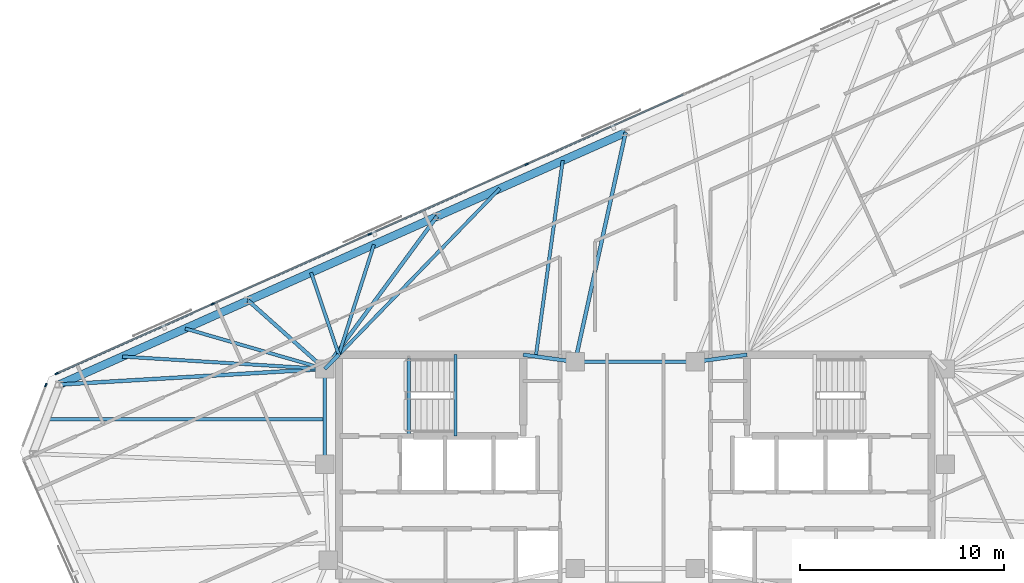
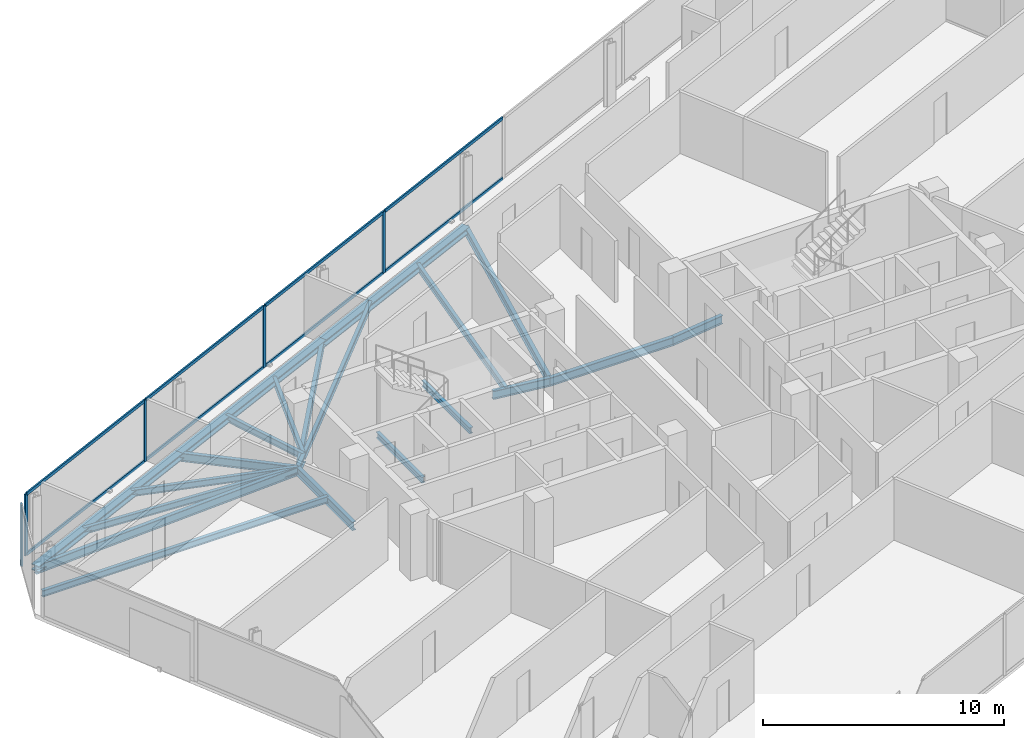
# One storey, part 9 of 18: 21 beams, 13 members, 2 elements without a shape of their own.
"""IFC4 building model written with IfcOpenShell, lengths in metres."""

from ifc_helpers import new_model, si_unit, direction, frame, origin, origin_2d, place, context, subcontext, project, spatial, rectangle, i_section, extrude, material, material_profile, profile_set, type_object, element, aggregate, save


model = new_model("IFC4")

# Units and contexts
model_context = context("Model", 3, precision=1e-05, world=origin(), true_north=direction((0.0, 1.0)))
body_context = subcontext(model_context, "Body", "Model", "MODEL_VIEW")
ifc_project = project(units=[si_unit("LENGTHUNIT", "METRE"), si_unit("AREAUNIT", "SQUARE_METRE"), si_unit("VOLUMEUNIT", "CUBIC_METRE"), si_unit("PLANEANGLEUNIT", "RADIAN"), si_unit("MASSUNIT", "GRAM", prefix="KILO")], contexts=[model_context])

# Site, building, storey
site_placement = place(None, origin())
site = spatial("IfcSite", under=ifc_project, at=site_placement, CompositionType="ELEMENT")
building_placement = place(site_placement, origin())
building = spatial("IfcBuilding", under=site, at=building_placement, Name="Menara Jurai Vektor", CompositionType="ELEMENT")
storey_placement = place(building_placement, frame((0.0, 0.0, 258.85009765625)))
storey = spatial("IfcBuildingStorey", under=building, at=storey_placement, Name="L69", CompositionType="ELEMENT", Elevation=258.85009765625)

# Curtain wall, members
ifc_material_1 = material(Name="Anodised Pale Aluminium & Low-E Double Glazing", Category="aluminium")
curtain_wall_type = type_object("IfcCurtainWallType", Name="CW-BLK5", PredefinedType="NOTDEFINED", material=ifc_material_1)
curtain_wall_1_placement = place(storey_placement, origin())
curtain_wall_1 = element("IfcCurtainWall", 1, at=curtain_wall_1_placement, inside=storey, type_object=curtain_wall_type, Name="Unitised Curtain Wall L69 F05", PredefinedType="NOTDEFINED")
ifc_material_2 = material(Name="Anodised Pale Aluminium Mullion", Category="aluminium")
ifc_material_profile_1 = material_profile(ifc_material_2, rectangle(XDim=0.074951171875, YDim=0.175048828125, at=origin_2d()), Name="ALU MUL 75x175")
ifc_profile_set_1 = profile_set([ifc_material_profile_1], Name="Anodised Pale Aluminium Mullion")
member_type_1 = type_object("IfcMemberType", Name="CW-BLK5-MUL", PredefinedType="MULLION", material=ifc_profile_set_1)
member_1_placement = place(storey_placement, frame((-5.327880859375, 14.957275390625, 0.0), z_axis=(0.0, 0.0, 1.0), x_axis=(0.406735498684, -0.913545967158, 0.0)))
member_1 = element("IfcMember", 2, at=member_1_placement, type_object=member_type_1, Name="CW-05 mullion 4", PredefinedType="MULLION", context=body_context, shape_type="SweptSolid", body=[
    extrude(rectangle(XDim=0.074951171875, YDim=0.175048828125, at=origin_2d()), origin(), (0.0, 0.0, 1.0), 3.125),
])
member_2_placement = place(storey_placement, frame((-13.038330078125, 11.5244140625, 0.0), z_axis=(0.0, 0.0, 1.0), x_axis=(0.406735498684, -0.913545967158, 0.0)))
member_2 = element("IfcMember", 3, at=member_2_placement, type_object=member_type_1, Name="CW-05 mullion 5", PredefinedType="MULLION", context=body_context, shape_type="SweptSolid", body=[
    extrude(rectangle(XDim=0.074951171875, YDim=0.175048828125, at=origin_2d()), origin(), (0.0, 0.0, 1.0), 3.125),
])
member_3_placement = place(storey_placement, frame((-20.748779296875, 8.091552734375, 0.0), z_axis=(0.0, 0.0, 1.0), x_axis=(0.406735498684, -0.913545967158, 0.0)))
member_3 = element("IfcMember", 4, at=member_3_placement, type_object=member_type_1, Name="CW-05 mullion 6", PredefinedType="MULLION", context=body_context, shape_type="SweptSolid", body=[
    extrude(rectangle(XDim=0.074951171875, YDim=0.175048828125, at=origin_2d()), origin(), (0.0, 0.0, 1.0), 3.125),
])
member_4_placement = place(storey_placement, frame((-28.4248046875, 4.674072265625, 0.0), z_axis=(0.0, 0.0, 1.0), x_axis=(0.406735498684, -0.913545967158, 0.0)))
member_4 = element("IfcMember", 5, at=member_4_placement, type_object=member_type_1, Name="CW-05 mullion 7", PredefinedType="MULLION", context=body_context, shape_type="SweptSolid", body=[
    extrude(rectangle(XDim=0.074951171875, YDim=0.175048828125, at=origin_2d()), origin(), (0.0, 0.0, 1.0), 3.125),
])

# Curtain wall, member
curtain_wall_2_placement = place(storey_placement, origin())
curtain_wall_2 = element("IfcCurtainWall", 6, at=curtain_wall_2_placement, inside=storey, type_object=curtain_wall_type, Name="Unitised Curtain Wall L69 F06", PredefinedType="NOTDEFINED")
member_5_placement = place(storey_placement, frame((-28.955810546875, 4.114501953125, 0.0), z_axis=(0.0, 0.0, 1.0), x_axis=(0.933578193639, -0.358373766287, 0.0)))
member_5 = element("IfcMember", 7, at=member_5_placement, type_object=member_type_1, Name="CW-05 mullion 1", PredefinedType="MULLION", context=body_context, shape_type="SweptSolid", body=[
    extrude(rectangle(XDim=0.074951171875, YDim=0.175048828125, at=origin_2d()), origin(), (0.0, 0.0, 1.0), 3.125),
])
aggregate(curtain_wall_2, [member_5])

# Member
ifc_material_3 = material(Name="Anodised Pale Aluminium Transom", Category="aluminium")
ifc_material_profile_2 = material_profile(ifc_material_3, rectangle(XDim=0.074951171875, YDim=0.155029296875, at=origin_2d()), Name="ALU TRN 75x155")
ifc_profile_set_2 = profile_set([ifc_material_profile_2], Name="Anodised Pale Aluminium Transom")
member_type_2 = type_object("IfcMemberType", Name="CW-BLK5-TRN", PredefinedType="USERDEFINED", material=ifc_profile_set_2)
member_6_placement = place(storey_placement, frame((2.34814453125, 18.375, 0.037353515625), z_axis=(-0.913546575494, -0.406734132331, 0.0), x_axis=(0.406734132331, -0.913546575494, 0.0)))
member_6 = element("IfcMember", 8, at=member_6_placement, type_object=member_type_2, Name="CW-05 transom 3.1", ObjectType="TRANSOM", PredefinedType="USERDEFINED", context=body_context, shape_type="SweptSolid", body=[
    extrude(rectangle(XDim=0.074951171875, YDim=0.155029296875, at=origin_2d()), origin(), (0.0, 0.0, 1.0), 8.364990234375),
])

member_7_placement = place(storey_placement, frame((2.34814453125, 18.375, 3.08740234375), z_axis=(-0.913546575494, -0.406734132331, 0.0), x_axis=(0.406734132331, -0.913546575494, 0.0)))
member_7 = element("IfcMember", 9, at=member_7_placement, type_object=member_type_2, Name="CW-05 transom 3.2", ObjectType="TRANSOM", PredefinedType="USERDEFINED", context=body_context, shape_type="SweptSolid", body=[
    extrude(rectangle(XDim=0.074951171875, YDim=0.155029296875, at=origin_2d()), origin(), (0.0, 0.0, 1.0), 8.364990234375),
])

member_8_placement = place(storey_placement, frame((-5.3623046875, 14.942138671875, 0.037353515625), z_axis=(-0.913546575494, -0.406734132331, 0.0), x_axis=(0.406734132331, -0.913546575494, 0.0)))
member_8 = element("IfcMember", 10, at=member_8_placement, type_object=member_type_2, Name="CW-05 transom 4.1", ObjectType="TRANSOM", PredefinedType="USERDEFINED", context=body_context, shape_type="SweptSolid", body=[
    extrude(rectangle(XDim=0.074951171875, YDim=0.155029296875, at=origin_2d()), origin(), (0.0, 0.0, 1.0), 8.364990234375),
])

member_9_placement = place(storey_placement, frame((-5.3623046875, 14.942138671875, 3.08740234375), z_axis=(-0.913546575494, -0.406734132331, 0.0), x_axis=(0.406734132331, -0.913546575494, 0.0)))
member_9 = element("IfcMember", 11, at=member_9_placement, type_object=member_type_2, Name="CW-05 transom 4.2", ObjectType="TRANSOM", PredefinedType="USERDEFINED", context=body_context, shape_type="SweptSolid", body=[
    extrude(rectangle(XDim=0.074951171875, YDim=0.155029296875, at=origin_2d()), origin(), (0.0, 0.0, 1.0), 8.364990234375),
])

member_10_placement = place(storey_placement, frame((-13.072509765625, 11.50927734375, 0.037353515625), z_axis=(-0.913546575494, -0.406734132331, 0.0), x_axis=(0.406734132331, -0.913546575494, 0.0)))
member_10 = element("IfcMember", 12, at=member_10_placement, type_object=member_type_2, Name="CW-05 transom 5.1", ObjectType="TRANSOM", PredefinedType="USERDEFINED", context=body_context, shape_type="SweptSolid", body=[
    extrude(rectangle(XDim=0.074951171875, YDim=0.155029296875, at=origin_2d()), origin(), (0.0, 0.0, 1.0), 8.364990234375),
])

member_11_placement = place(storey_placement, frame((-13.072509765625, 11.50927734375, 3.08740234375), z_axis=(-0.913546575494, -0.406734132331, 0.0), x_axis=(0.406734132331, -0.913546575494, 0.0)))
member_11 = element("IfcMember", 13, at=member_11_placement, type_object=member_type_2, Name="CW-05 transom 5.2", ObjectType="TRANSOM", PredefinedType="USERDEFINED", context=body_context, shape_type="SweptSolid", body=[
    extrude(rectangle(XDim=0.074951171875, YDim=0.155029296875, at=origin_2d()), origin(), (0.0, 0.0, 1.0), 8.364990234375),
])

member_12_placement = place(storey_placement, frame((-20.782958984375, 8.076416015625, 0.037353515625), z_axis=(-0.91353811338, -0.406753138159, 0.0), x_axis=(0.406753138159, -0.91353811338, 0.0)))
member_12 = element("IfcMember", 14, at=member_12_placement, type_object=member_type_2, Name="CW-05 transom 6.1", ObjectType="TRANSOM", PredefinedType="USERDEFINED", context=body_context, shape_type="SweptSolid", body=[
    extrude(rectangle(XDim=0.074951171875, YDim=0.155029296875, at=origin_2d()), origin(), (0.0, 0.0, 1.0), 8.327392578125),
])

member_13_placement = place(storey_placement, frame((-20.782958984375, 8.076416015625, 3.08740234375), z_axis=(-0.91353811338, -0.406753138159, 0.0), x_axis=(0.406753138159, -0.91353811338, 0.0)))
member_13 = element("IfcMember", 15, at=member_13_placement, type_object=member_type_2, Name="CW-05 transom 6.2", ObjectType="TRANSOM", PredefinedType="USERDEFINED", context=body_context, shape_type="SweptSolid", body=[
    extrude(rectangle(XDim=0.074951171875, YDim=0.155029296875, at=origin_2d()), origin(), (0.0, 0.0, 1.0), 8.327392578125),
])

aggregate(curtain_wall_1, [member_1, member_2, member_3, member_4, member_6, member_7, member_8, member_9, member_10, member_11, member_12, member_13])

# Beams
ifc_material_4 = material(Name="Steel S355", Category="steel")
ifc_material_profile_3 = material_profile(ifc_material_4, i_section(OverallWidth=0.18505859375, OverallDepth=0.429931640625, WebThickness=0.010986328125, FlangeThickness=0.01806640625, at=origin_2d()), Name="PG 430x185x76")
ifc_profile_set_3 = profile_set([ifc_material_profile_3], Name="Steel S355")
beam_type_1 = type_object("IfcBeamType", Name="STR-BM-430", PredefinedType="BEAM", material=ifc_profile_set_3)
beam_1_placement = place(storey_placement, frame((-15.25, 4.89990234375, -0.440185546875), z_axis=(0.701871936926, 0.712303154672, 0.0), x_axis=(-0.712303154672, 0.701871936926, 0.0)))
element("IfcBeam", 16, at=beam_1_placement, inside=storey, type_object=beam_type_1, Name="Core Ring Header Girder L69-CHW-N1", PredefinedType="BEAM", context=body_context, shape_type="SweptSolid", body=[
    extrude(i_section(OverallWidth=0.18505859375, OverallDepth=0.429931640625, WebThickness=0.010986328125, FlangeThickness=0.01806640625, at=origin_2d()), origin(), (0.0, 0.0, 1.0), 0.98291015625),
])
beam_2_placement = place(storey_placement, frame((-5.5, 5.60009765625, -0.440185546875), z_axis=(0.990706818608, -0.136014703483, 0.0), x_axis=(0.136014703483, 0.990706818608, 0.0)))
element("IfcBeam", 17, at=beam_2_placement, inside=storey, type_object=beam_type_1, Name="Core Ring Header Girder L69-CHW-N2", PredefinedType="BEAM", context=body_context, shape_type="SweptSolid", body=[
    extrude(i_section(OverallWidth=0.18505859375, OverallDepth=0.429931640625, WebThickness=0.010986328125, FlangeThickness=0.01806640625, at=origin_2d()), origin(), (0.0, 0.0, 1.0), 2.573974609375),
])
beam_3_placement = place(storey_placement, frame((-15.25, 0.219970703125, -0.440185546875), z_axis=(0.0, 1.0, 0.0), x_axis=(-1.0, 0.0, 0.0)))
element("IfcBeam", 18, at=beam_3_placement, inside=storey, type_object=beam_type_1, Name="Core Ring Header Girder L69-CHW-W1", PredefinedType="BEAM", context=body_context, shape_type="SweptSolid", body=[
    extrude(i_section(OverallWidth=0.18505859375, OverallDepth=0.429931640625, WebThickness=0.010986328125, FlangeThickness=0.01806640625, at=origin_2d()), origin(), (0.0, 0.0, 1.0), 4.679931640625),
])
beam_4_placement = place(storey_placement, frame((2.949951171875, 5.25, -0.440185546875), z_axis=(0.990706818608, 0.136014703483, 0.0), x_axis=(-0.136014703483, 0.990706818608, 0.0)))
element("IfcBeam", 19, at=beam_4_placement, inside=storey, type_object=beam_type_1, Name="Core Ring Header Girder L69-CHE-N1", PredefinedType="BEAM", context=body_context, shape_type="SweptSolid", body=[
    extrude(i_section(OverallWidth=0.18505859375, OverallDepth=0.429931640625, WebThickness=0.010986328125, FlangeThickness=0.01806640625, at=origin_2d()), origin(), (0.0, 0.0, 1.0), 2.573974609375),
])
beam_5_placement = place(storey_placement, frame((-2.949951171875, 5.25, -0.440185546875), z_axis=(1.0, 0.0, 0.0), x_axis=(0.0, 1.0, 0.0)))
element("IfcBeam", 20, at=beam_5_placement, inside=storey, type_object=beam_type_1, Name="Core Ring Header Girder L69-CC-2", PredefinedType="BEAM", context=body_context, shape_type="SweptSolid", body=[
    extrude(i_section(OverallWidth=0.18505859375, OverallDepth=0.429931640625, WebThickness=0.010986328125, FlangeThickness=0.01806640625, at=origin_2d()), origin(), (0.0, 0.0, 1.0), 5.89990234375),
])
beam_6_placement = place(storey_placement, frame((-0.467529296875, 16.519287109375, -0.440185546875), z_axis=(-0.215124522255, -0.976586626943, 0.0), x_axis=(0.976586626943, -0.215124522255, 0.0)))
element("IfcBeam", 21, at=beam_6_placement, inside=storey, type_object=beam_type_1, Name="Radial Floor Girder L69-N3", PredefinedType="BEAM", context=body_context, shape_type="SweptSolid", body=[
    extrude(i_section(OverallWidth=0.18505859375, OverallDepth=0.429931640625, WebThickness=0.010986328125, FlangeThickness=0.01806640625, at=origin_2d()), origin(), (0.0, 0.0, 1.0), 11.53955078125),
])
beam_7_placement = place(storey_placement, frame((-9.740966796875, 12.390380859375, -0.440185546875), z_axis=(-0.592483178081, -0.805582822366, 0.0), x_axis=(0.805582822366, -0.592483178081, 0.0)))
element("IfcBeam", 22, at=beam_7_placement, inside=storey, type_object=beam_type_1, Name="Radial Floor Girder L69-N4", PredefinedType="BEAM", context=body_context, shape_type="SweptSolid", body=[
    extrude(i_section(OverallWidth=0.18505859375, OverallDepth=0.429931640625, WebThickness=0.010986328125, FlangeThickness=0.01806640625, at=origin_2d()), origin(), (0.0, 0.0, 1.0), 9.298095703125),
])
beam_8_placement = place(storey_placement, frame((-19.0146484375, 8.26171875, -0.440185546875), z_axis=(0.745886163995, -0.666073442167, 0.0), x_axis=(0.666073442167, 0.745886163995, 0.0)))
element("IfcBeam", 23, at=beam_8_placement, inside=storey, type_object=beam_type_1, Name="Radial Floor Girder L69-N5", PredefinedType="BEAM", context=body_context, shape_type="SweptSolid", body=[
    extrude(i_section(OverallWidth=0.18505859375, OverallDepth=0.429931640625, WebThickness=0.010986328125, FlangeThickness=0.01806640625, at=origin_2d()), origin(), (0.0, 0.0, 1.0), 5.047119140625),
])
beam_9_placement = place(storey_placement, frame((-28.2880859375, 4.1328125, -0.440185546875), z_axis=(0.998273728533, 0.058732979834, 0.0), x_axis=(-0.058732979834, 0.998273728533, 0.0)))
element("IfcBeam", 24, at=beam_9_placement, inside=storey, type_object=beam_type_1, Name="Radial Floor Girder L69-N6", PredefinedType="BEAM", context=body_context, shape_type="SweptSolid", body=[
    extrude(i_section(OverallWidth=0.18505859375, OverallDepth=0.429931640625, WebThickness=0.010986328125, FlangeThickness=0.01806640625, at=origin_2d()), origin(), (0.0, 0.0, 1.0), 13.060546875),
])
ifc_material_5 = material(Name="Steel S460", Category="steel")
ifc_material_profile_4 = material_profile(ifc_material_5, i_section(OverallWidth=0.39697265625, OverallDepth=0.31591796875, WebThickness=0.030029296875, FlangeThickness=0.048095703125, FilletRadius=0.014892578125, at=origin_2d()), Name="HD 400x382")
ifc_profile_set_4 = profile_set([ifc_material_profile_4], Name="Steel S460")
beam_type_2 = type_object("IfcBeamType", Name="STR-BM-CHORD382", PredefinedType="SPANDREL", material=ifc_profile_set_4)
for number, where, z_axis, x_axis, name in (
    (25, (-0.467529296875, 16.519287109375, -0.383056640625), (-0.913541582548, -0.406745346568, 0.0), (0.406745346568, -0.913541582548, 0.0), "Exoskeleton Spandrel Beam L69-13"),
    (26, (-9.740966796875, 12.390380859375, -0.383056640625), (-0.913554497648, -0.406716338284, 0.0), (0.406716338284, -0.913554497648, 0.0), "Exoskeleton Spandrel Beam L69-14"),
    (27, (-19.0146484375, 8.26171875, -0.383056640625), (-0.913541582548, -0.406745346568, 0.0), (0.406745346568, -0.913541582548, 0.0), "Exoskeleton Spandrel Beam L69-15"),
):
    element("IfcBeam", number, at=place(storey_placement, frame(where, z_axis=z_axis, x_axis=x_axis)), inside=storey, type_object=beam_type_2, Name=name, PredefinedType="SPANDREL", context=body_context, shape_type="SweptSolid", body=[
        extrude(i_section(OverallWidth=0.39697265625, OverallDepth=0.31591796875, WebThickness=0.030029296875, FlangeThickness=0.048095703125, FilletRadius=0.014892578125, at=origin_2d()), origin(), (0.0, 0.0, 1.0), 10.151123046875),
    ])
ifc_material_profile_5 = material_profile(ifc_material_4, i_section(OverallWidth=0.1650390625, OverallDepth=0.330078125, WebThickness=0.009033203125, FlangeThickness=0.013916015625, at=origin_2d()), Name="PG 330x165x46")
ifc_profile_set_5 = profile_set([ifc_material_profile_5], Name="Steel S355")
beam_type_3 = type_object("IfcBeamType", Name="STR-JS-330", PredefinedType="JOIST", material=ifc_profile_set_5)
beam_10_placement = place(storey_placement, frame((-3.55859375, 15.14306640625, -0.39013671875), z_axis=(-0.135981954601, -0.990711314169, 0.0), x_axis=(0.990711314169, -0.135981954601, 0.0)))
element("IfcBeam", 28, at=beam_10_placement, inside=storey, type_object=beam_type_3, Name="Radial Secondary Floor Joist L69-JS19", PredefinedType="JOIST", context=body_context, shape_type="SweptSolid", body=[
    extrude(i_section(OverallWidth=0.1650390625, OverallDepth=0.330078125, WebThickness=0.009033203125, FlangeThickness=0.013916015625, at=origin_2d()), origin(), (0.0, 0.0, 1.0), 9.718505859375),
])
beam_11_placement = place(storey_placement, frame((-6.64990234375, 13.766845703125, -0.39013671875), z_axis=(-0.695732556791, -0.718300918433, 0.0), x_axis=(0.718300918433, -0.695732556791, 0.0)))
element("IfcBeam", 29, at=beam_11_placement, inside=storey, type_object=beam_type_3, Name="Radial Secondary Floor Joist L69-JS20", PredefinedType="JOIST", context=body_context, shape_type="SweptSolid", body=[
    extrude(i_section(OverallWidth=0.1650390625, OverallDepth=0.330078125, WebThickness=0.009033203125, FlangeThickness=0.013916015625, at=origin_2d()), origin(), (0.0, 0.0, 1.0), 11.36962890625),
])
beam_12_placement = place(storey_placement, frame((-12.832275390625, 11.01416015625, -0.39013671875), z_axis=(-0.304022753529, -0.952664770702, 0.0), x_axis=(0.952664770702, -0.304022753529, 0.0)))
element("IfcBeam", 30, at=beam_12_placement, inside=storey, type_object=beam_type_3, Name="Radial Secondary Floor Joist L69-JS21", PredefinedType="JOIST", context=body_context, shape_type="SweptSolid", body=[
    extrude(i_section(OverallWidth=0.1650390625, OverallDepth=0.330078125, WebThickness=0.009033203125, FlangeThickness=0.013916015625, at=origin_2d()), origin(), (0.0, 0.0, 1.0), 5.68310546875),
])
beam_13_placement = place(storey_placement, frame((-15.92333984375, 9.637939453125, -0.39013671875), z_axis=(0.319885998438, -0.947456040143, 0.0), x_axis=(0.947456040143, 0.319885998438, 0.0)))
element("IfcBeam", 31, at=beam_13_placement, inside=storey, type_object=beam_type_3, Name="Radial Secondary Floor Joist L69-JS22", PredefinedType="JOIST", context=body_context, shape_type="SweptSolid", body=[
    extrude(i_section(OverallWidth=0.1650390625, OverallDepth=0.330078125, WebThickness=0.009033203125, FlangeThickness=0.013916015625, at=origin_2d()), origin(), (0.0, 0.0, 1.0), 4.26171875),
])
beam_14_placement = place(storey_placement, frame((-22.105712890625, 6.885498046875, -0.39013671875), z_axis=(0.960525066064, -0.278193453306, 0.0), x_axis=(0.278193453306, 0.960525066064, 0.0)))
element("IfcBeam", 32, at=beam_14_placement, inside=storey, type_object=beam_type_3, Name="Radial Secondary Floor Joist L69-JS23", PredefinedType="JOIST", context=body_context, shape_type="SweptSolid", body=[
    extrude(i_section(OverallWidth=0.1650390625, OverallDepth=0.330078125, WebThickness=0.009033203125, FlangeThickness=0.013916015625, at=origin_2d()), origin(), (0.0, 0.0, 1.0), 7.137451171875),
])
beam_15_placement = place(storey_placement, frame((-25.197021484375, 5.509033203125, -0.39013671875), z_axis=(0.998130240593, -0.061123013776, 0.0), x_axis=(0.061123013776, 0.998130240593, 0.0)))
element("IfcBeam", 33, at=beam_15_placement, inside=storey, type_object=beam_type_3, Name="Radial Secondary Floor Joist L69-JS24", PredefinedType="JOIST", context=body_context, shape_type="SweptSolid", body=[
    extrude(i_section(OverallWidth=0.1650390625, OverallDepth=0.330078125, WebThickness=0.009033203125, FlangeThickness=0.013916015625, at=origin_2d()), origin(), (0.0, 0.0, 1.0), 9.965576171875),
])
beam_16_placement = place(storey_placement, frame((-28.93994140625, 2.434814453125, -0.39013671875), z_axis=(1.0, 0.0, 0.0), x_axis=(0.0, 1.0, 0.0)))
element("IfcBeam", 34, at=beam_16_placement, inside=storey, type_object=beam_type_3, Name="Radial Secondary Floor Joist L69-JS25", PredefinedType="JOIST", context=body_context, shape_type="SweptSolid", body=[
    extrude(i_section(OverallWidth=0.1650390625, OverallDepth=0.330078125, WebThickness=0.009033203125, FlangeThickness=0.013916015625, at=origin_2d()), origin(), (0.0, 0.0, 1.0), 13.68994140625),
])
ifc_material_profile_6 = material_profile(ifc_material_4, i_section(OverallWidth=0.1650390625, OverallDepth=0.302978515625, WebThickness=0.006103515625, FlangeThickness=0.010009765625, FilletRadius=0.009033203125, at=origin_2d()), Name="UKB 305x165x40")
ifc_profile_set_6 = profile_set([ifc_material_profile_6], Name="Steel S355")
beam_type_4 = type_object("IfcBeamType", Name="STR-LN-305", PredefinedType="LINTEL", material=ifc_profile_set_6)
beam_17_placement = place(storey_placement, frame((-11.1201171875, 1.60009765625, -0.376708984375), z_axis=(0.0, 1.0, 0.0), x_axis=(-1.0, 0.0, 0.0)))
element("IfcBeam", 35, at=beam_17_placement, inside=storey, type_object=beam_type_4, Name="Stair Well Floor Trimmer ST1 L69", PredefinedType="LINTEL", context=body_context, shape_type="SweptSolid", body=[
    extrude(i_section(OverallWidth=0.1650390625, OverallDepth=0.302978515625, WebThickness=0.006103515625, FlangeThickness=0.010009765625, FilletRadius=0.009033203125, at=origin_2d()), origin(), (0.0, 0.0, 1.0), 3.81982421875),
])
beam_18_placement = place(storey_placement, frame((-8.830078125, 1.60009765625, 1.323486328125), z_axis=(0.0, 1.0, 0.0), x_axis=(-1.0, 0.0, 0.0)))
element("IfcBeam", 36, at=beam_18_placement, inside=storey, type_object=beam_type_4, Name="Stair Half-Landing Nosing Trimmer ST1-1 L69", PredefinedType="LINTEL", context=body_context, shape_type="SweptSolid", body=[
    extrude(i_section(OverallWidth=0.1650390625, OverallDepth=0.302978515625, WebThickness=0.006103515625, FlangeThickness=0.010009765625, FilletRadius=0.009033203125, at=origin_2d()), origin(), (0.0, 0.0, 1.0), 4.0),
])

save(model, "model.ifc")
